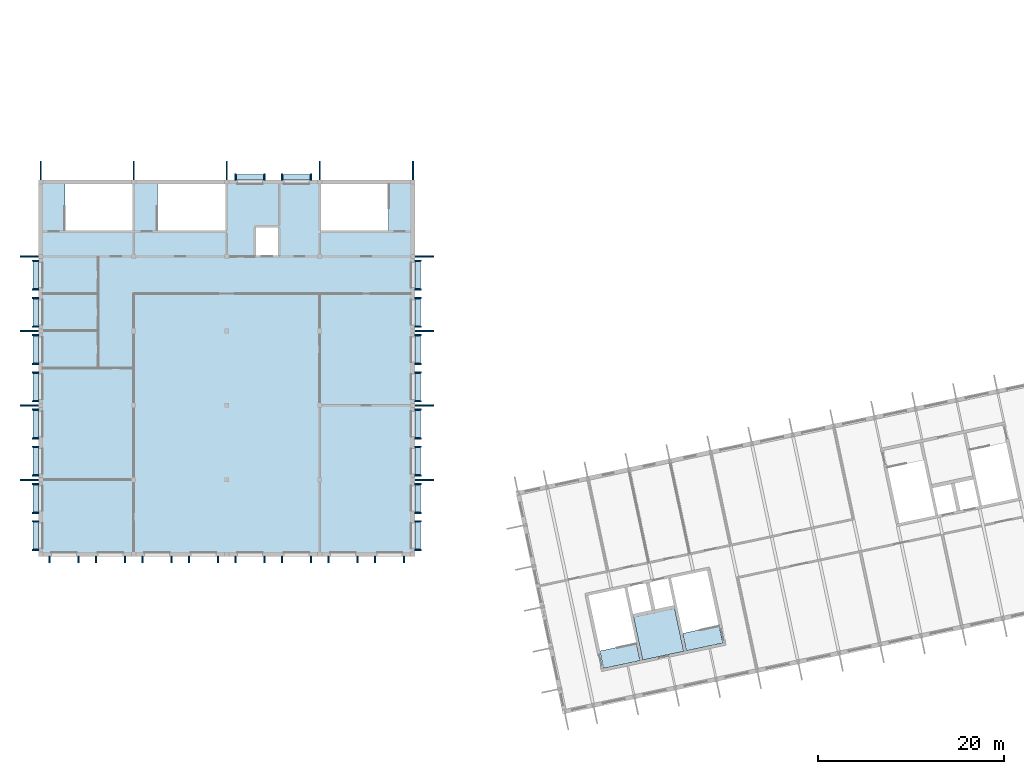
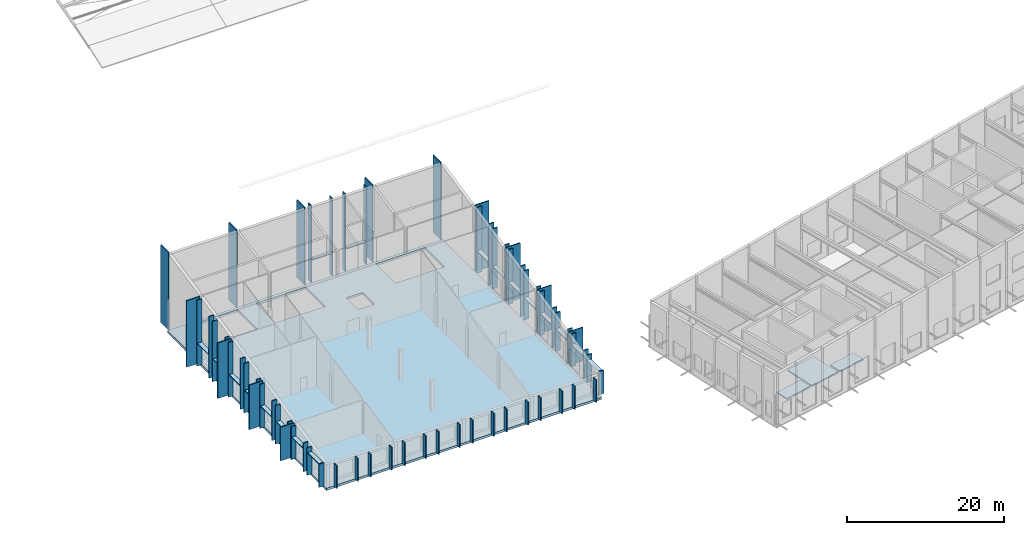
# One storey, part 34 of 69: 83 plates, 4 slabs.
"""IFC4 building model written with IfcOpenShell, lengths in metres."""

from ifc_helpers import new_model, si_unit, direction, frame, origin, origin_2d, place, context, subcontext, project, spatial, polyline, rectangle, outline, extrude, material, layer, layer_set, type_object, element, save


model = new_model("IFC4")

# Units and contexts
model_context = context("Model", 3, precision=1e-05, world=origin(), true_north=direction((0.0, 1.0)))
body_context = subcontext(model_context, "Body", "Model", "MODEL_VIEW")
ifc_project = project(units=[si_unit("LENGTHUNIT", "METRE"), si_unit("AREAUNIT", "SQUARE_METRE"), si_unit("VOLUMEUNIT", "CUBIC_METRE"), si_unit("PLANEANGLEUNIT", "RADIAN"), si_unit("MASSUNIT", "GRAM", prefix="KILO")], contexts=[model_context])

# Site, building, storey
site_placement = place(None, origin())
site = spatial("IfcSite", under=ifc_project, at=site_placement, CompositionType="ELEMENT")
building_placement = place(site_placement, origin())
building = spatial("IfcBuilding", under=site, at=building_placement, Name="Okhra Congress Centre", CompositionType="ELEMENT")
storey_placement = place(building_placement, frame((0.0, 0.0, 16.800048828125)))
storey = spatial("IfcBuildingStorey", under=building, at=storey_placement, Name="L03", CompositionType="ELEMENT", Elevation=16.800048828125)

# Plates
ifc_material_1 = material(Name="Anodised aluminium extrusion", Category="aluminium")
plate_type_1 = type_object("IfcPlateType", Name="Aluminium fin 150x700", PredefinedType="SHEET", material=ifc_material_1)
for number, where, z_axis, x_axis, name in (
    (1, (6.949951171875, 43.425048828125, 0.0), (0.0, 0.0, 1.0), (1.0, 0.0, 0.0), "RS.PLT.L03.1"),
    (2, (10.050048828125, 43.425048828125, 0.0), (0.0, 0.0, 1.0), (1.0, 0.0, 0.0), "RS.PLT.L03.2"),
    (3, (11.949951171875, 43.425048828125, 0.0), (0.0, 0.0, 1.0), (1.0, 0.0, 0.0), "RS.PLT.L03.3"),
    (4, (15.050048828125, 43.425048828125, 0.0), (0.0, 0.0, 1.0), (1.0, 0.0, 0.0), "RS.PLT.L03.4"),
    (5, (16.949951171875, 43.425048828125, 0.0), (0.0, 0.0, 1.0), (1.0, 0.0, 0.0), "RS.PLT.L03.5"),
    (6, (20.050048828125, 43.425048828125, 0.0), (0.0, 0.0, 1.0), (1.0, 0.0, 0.0), "RS.PLT.L03.6"),
    (7, (21.949951171875, 43.425048828125, 0.0), (0.0, 0.0, 1.0), (1.0, 0.0, 0.0), "RS.PLT.L03.7"),
    (8, (25.050048828125, 43.425048828125, 0.0), (0.0, 0.0, 1.0), (1.0, 0.0, 0.0), "RS.PLT.L03.8"),
    (9, (26.949951171875, 43.425048828125, 0.0), (0.0, 0.0, 1.0), (1.0, 0.0, 0.0), "RS.PLT.L03.9"),
    (10, (30.050048828125, 43.425048828125, 0.0), (0.0, 0.0, 1.0), (1.0, 0.0, 0.0), "RS.PLT.L03.10"),
    (11, (31.949951171875, 43.425048828125, 0.0), (0.0, 0.0, 1.0), (1.0, 0.0, 0.0), "RS.PLT.L03.11"),
    (12, (35.050048828125, 43.425048828125, 0.0), (0.0, 0.0, 1.0), (1.0, 0.0, 0.0), "RS.PLT.L03.12"),
    (13, (36.949951171875, 43.425048828125, 0.0), (0.0, 0.0, 1.0), (1.0, 0.0, 0.0), "RS.PLT.L03.13"),
    (14, (40.050048828125, 43.425048828125, 0.0), (0.0, 0.0, 1.0), (1.0, 0.0, 0.0), "RS.PLT.L03.14"),
    (15, (41.949951171875, 43.425048828125, 0.0), (0.0, 0.0, 1.0), (1.0, 0.0, 0.0), "RS.PLT.L03.15"),
    (16, (45.050048828125, 43.425048828125, 0.0), (0.0, 0.0, 1.0), (1.0, 0.0, 0.0), "RS.PLT.L03.16"),
):
    element("IfcPlate", number, at=place(storey_placement, frame(where, z_axis=z_axis, x_axis=x_axis)), inside=storey, type_object=plate_type_1, Name=name, PredefinedType="SHEET", context=body_context, shape_type="SweptSolid", body=[
        extrude(rectangle(XDim=0.14990234375, YDim=0.699951171875, at=origin_2d()), origin(), (0.0, 0.0, 1.0), 3.521240234375),
    ])
for number, where, z_axis, x_axis, name in (
    (17, (26.949951171875, 84.574951171875, 0.0), (0.0, 0.0, 1.0), (-1.0, 0.0, 0.0), "RS.PLT.L03.17"),
    (18, (30.050048828125, 84.574951171875, 0.0), (0.0, 0.0, 1.0), (-1.0, 0.0, 0.0), "RS.PLT.L03.18"),
    (19, (31.949951171875, 84.574951171875, 0.0), (0.0, 0.0, 1.0), (-1.0, 0.0, 0.0), "RS.PLT.L03.19"),
    (20, (35.050048828125, 84.574951171875, 0.0), (0.0, 0.0, 1.0), (-1.0, 0.0, 0.0), "RS.PLT.L03.20"),
):
    element("IfcPlate", number, at=place(storey_placement, frame(where, z_axis=z_axis, x_axis=x_axis)), inside=storey, type_object=plate_type_1, Name=name, PredefinedType="SHEET", context=body_context, shape_type="SweptSolid", body=[
        extrude(rectangle(XDim=0.14990234375, YDim=0.699951171875, at=origin_2d()), origin(), (0.0, 0.0, 1.0), 12.0234375),
    ])
plate_1_placement = place(storey_placement, frame((5.425048828125, 44.449951171875, 0.0), z_axis=(0.0, 0.0, 1.0), x_axis=(0.0, -1.0, 0.0)))
element("IfcPlate", 21, at=plate_1_placement, inside=storey, type_object=plate_type_1, Name="RS.PLT.L03.21", PredefinedType="SHEET", context=body_context, shape_type="SweptSolid", body=[
    extrude(rectangle(XDim=0.14990234375, YDim=0.699951171875, at=origin_2d()), origin(), (0.0, 0.0, 1.0), 3.61669921875),
])
plate_2_placement = place(storey_placement, frame((5.425048828125, 47.550048828125, 0.0), z_axis=(0.0, 0.0, 1.0), x_axis=(0.0, -1.0, 0.0)))
element("IfcPlate", 22, at=plate_2_placement, inside=storey, type_object=plate_type_1, Name="RS.PLT.L03.22", PredefinedType="SHEET", context=body_context, shape_type="SweptSolid", body=[
    extrude(rectangle(XDim=0.14990234375, YDim=0.699951171875, at=origin_2d()), origin(), (0.0, 0.0, 1.0), 4.275634765625),
])
plate_3_placement = place(storey_placement, frame((5.425048828125, 48.449951171875, 0.0), z_axis=(0.0, 0.0, 1.0), x_axis=(0.0, -1.0, 0.0)))
element("IfcPlate", 23, at=plate_3_placement, inside=storey, type_object=plate_type_1, Name="RS.PLT.L03.23", PredefinedType="SHEET", context=body_context, shape_type="SweptSolid", body=[
    extrude(rectangle(XDim=0.14990234375, YDim=0.699951171875, at=origin_2d()), origin(), (0.0, 0.0, 1.0), 4.467041015625),
])
plate_4_placement = place(storey_placement, frame((5.425048828125, 51.550048828125, 0.0), z_axis=(0.0, 0.0, 1.0), x_axis=(0.0, -1.0, 0.0)))
element("IfcPlate", 24, at=plate_4_placement, inside=storey, type_object=plate_type_1, Name="RS.PLT.L03.24", PredefinedType="SHEET", context=body_context, shape_type="SweptSolid", body=[
    extrude(rectangle(XDim=0.14990234375, YDim=0.699951171875, at=origin_2d()), origin(), (0.0, 0.0, 1.0), 5.1259765625),
])
plate_5_placement = place(storey_placement, frame((5.425048828125, 52.449951171875, 0.0), z_axis=(0.0, 0.0, 1.0), x_axis=(0.0, -1.0, 0.0)))
element("IfcPlate", 25, at=plate_5_placement, inside=storey, type_object=plate_type_1, Name="RS.PLT.L03.25", PredefinedType="SHEET", context=body_context, shape_type="SweptSolid", body=[
    extrude(rectangle(XDim=0.14990234375, YDim=0.699951171875, at=origin_2d()), origin(), (0.0, 0.0, 1.0), 5.317138671875),
])
plate_6_placement = place(storey_placement, frame((5.425048828125, 55.550048828125, 0.0), z_axis=(0.0, 0.0, 1.0), x_axis=(0.0, -1.0, 0.0)))
element("IfcPlate", 26, at=plate_6_placement, inside=storey, type_object=plate_type_1, Name="RS.PLT.L03.26", PredefinedType="SHEET", context=body_context, shape_type="SweptSolid", body=[
    extrude(rectangle(XDim=0.14990234375, YDim=0.699951171875, at=origin_2d()), origin(), (0.0, 0.0, 1.0), 5.97607421875),
])
plate_7_placement = place(storey_placement, frame((5.425048828125, 56.449951171875, 0.0), z_axis=(0.0, 0.0, 1.0), x_axis=(0.0, -1.0, 0.0)))
element("IfcPlate", 27, at=plate_7_placement, inside=storey, type_object=plate_type_1, Name="RS.PLT.L03.27", PredefinedType="SHEET", context=body_context, shape_type="SweptSolid", body=[
    extrude(rectangle(XDim=0.14990234375, YDim=0.699951171875, at=origin_2d()), origin(), (0.0, 0.0, 1.0), 6.16748046875),
])
plate_8_placement = place(storey_placement, frame((5.425048828125, 59.550048828125, 0.0), z_axis=(0.0, 0.0, 1.0), x_axis=(0.0, -1.0, 0.0)))
element("IfcPlate", 28, at=plate_8_placement, inside=storey, type_object=plate_type_1, Name="RS.PLT.L03.28", PredefinedType="SHEET", context=body_context, shape_type="SweptSolid", body=[
    extrude(rectangle(XDim=0.14990234375, YDim=0.699951171875, at=origin_2d()), origin(), (0.0, 0.0, 1.0), 6.826416015625),
])
plate_9_placement = place(storey_placement, frame((5.425048828125, 60.449951171875, 0.0), z_axis=(0.0, 0.0, 1.0), x_axis=(0.0, -1.0, 0.0)))
element("IfcPlate", 29, at=plate_9_placement, inside=storey, type_object=plate_type_1, Name="RS.PLT.L03.29", PredefinedType="SHEET", context=body_context, shape_type="SweptSolid", body=[
    extrude(rectangle(XDim=0.14990234375, YDim=0.699951171875, at=origin_2d()), origin(), (0.0, 0.0, 1.0), 7.017578125),
])
plate_10_placement = place(storey_placement, frame((5.425048828125, 63.550048828125, 0.0), z_axis=(0.0, 0.0, 1.0), x_axis=(0.0, -1.0, 0.0)))
element("IfcPlate", 30, at=plate_10_placement, inside=storey, type_object=plate_type_1, Name="RS.PLT.L03.30", PredefinedType="SHEET", context=body_context, shape_type="SweptSolid", body=[
    extrude(rectangle(XDim=0.14990234375, YDim=0.699951171875, at=origin_2d()), origin(), (0.0, 0.0, 1.0), 7.676513671875),
])
plate_11_placement = place(storey_placement, frame((5.425048828125, 64.449951171875, 0.0), z_axis=(0.0, 0.0, 1.0), x_axis=(0.0, -1.0, 0.0)))
element("IfcPlate", 31, at=plate_11_placement, inside=storey, type_object=plate_type_1, Name="RS.PLT.L03.31", PredefinedType="SHEET", context=body_context, shape_type="SweptSolid", body=[
    extrude(rectangle(XDim=0.14990234375, YDim=0.699951171875, at=origin_2d()), origin(), (0.0, 0.0, 1.0), 7.867919921875),
])
plate_12_placement = place(storey_placement, frame((5.425048828125, 67.550048828125, 0.0), z_axis=(0.0, 0.0, 1.0), x_axis=(0.0, -1.0, 0.0)))
element("IfcPlate", 32, at=plate_12_placement, inside=storey, type_object=plate_type_1, Name="RS.PLT.L03.32", PredefinedType="SHEET", context=body_context, shape_type="SweptSolid", body=[
    extrude(rectangle(XDim=0.14990234375, YDim=0.699951171875, at=origin_2d()), origin(), (0.0, 0.0, 1.0), 8.52685546875),
])
plate_13_placement = place(storey_placement, frame((5.425048828125, 68.449951171875, 0.0), z_axis=(0.0, 0.0, 1.0), x_axis=(0.0, -1.0, 0.0)))
element("IfcPlate", 33, at=plate_13_placement, inside=storey, type_object=plate_type_1, Name="RS.PLT.L03.33", PredefinedType="SHEET", context=body_context, shape_type="SweptSolid", body=[
    extrude(rectangle(XDim=0.14990234375, YDim=0.699951171875, at=origin_2d()), origin(), (0.0, 0.0, 1.0), 8.718017578125),
])
plate_14_placement = place(storey_placement, frame((5.425048828125, 71.550048828125, 0.0), z_axis=(0.0, 0.0, 1.0), x_axis=(0.0, -1.0, 0.0)))
element("IfcPlate", 34, at=plate_14_placement, inside=storey, type_object=plate_type_1, Name="RS.PLT.L03.34", PredefinedType="SHEET", context=body_context, shape_type="SweptSolid", body=[
    extrude(rectangle(XDim=0.14990234375, YDim=0.699951171875, at=origin_2d()), origin(), (0.0, 0.0, 1.0), 9.376953125),
])
plate_15_placement = place(storey_placement, frame((5.425048828125, 72.449951171875, 0.0), z_axis=(0.0, 0.0, 1.0), x_axis=(0.0, -1.0, 0.0)))
element("IfcPlate", 35, at=plate_15_placement, inside=storey, type_object=plate_type_1, Name="RS.PLT.L03.35", PredefinedType="SHEET", context=body_context, shape_type="SweptSolid", body=[
    extrude(rectangle(XDim=0.14990234375, YDim=0.699951171875, at=origin_2d()), origin(), (0.0, 0.0, 1.0), 9.568359375),
])
plate_16_placement = place(storey_placement, frame((5.425048828125, 75.550048828125, 0.0), z_axis=(0.0, 0.0, 1.0), x_axis=(0.0, -1.0, 0.0)))
element("IfcPlate", 36, at=plate_16_placement, inside=storey, type_object=plate_type_1, Name="RS.PLT.L03.36", PredefinedType="SHEET", context=body_context, shape_type="SweptSolid", body=[
    extrude(rectangle(XDim=0.14990234375, YDim=0.699951171875, at=origin_2d()), origin(), (0.0, 0.0, 1.0), 10.227294921875),
])
plate_17_placement = place(storey_placement, frame((46.574951171875, 44.449951171875, 0.0), z_axis=(0.0, 0.0, 1.0), x_axis=(0.0, 1.0, 0.0)))
element("IfcPlate", 37, at=plate_17_placement, inside=storey, type_object=plate_type_1, Name="RS.PLT.L03.37", PredefinedType="SHEET", context=body_context, shape_type="SweptSolid", body=[
    extrude(rectangle(XDim=0.14990234375, YDim=0.699951171875, at=origin_2d()), origin(), (0.0, 0.0, 1.0), 3.61669921875),
])
plate_18_placement = place(storey_placement, frame((46.574951171875, 47.550048828125, 0.0), z_axis=(0.0, 0.0, 1.0), x_axis=(0.0, 1.0, 0.0)))
element("IfcPlate", 38, at=plate_18_placement, inside=storey, type_object=plate_type_1, Name="RS.PLT.L03.38", PredefinedType="SHEET", context=body_context, shape_type="SweptSolid", body=[
    extrude(rectangle(XDim=0.14990234375, YDim=0.699951171875, at=origin_2d()), origin(), (0.0, 0.0, 1.0), 4.275634765625),
])
plate_19_placement = place(storey_placement, frame((46.574951171875, 48.449951171875, 0.0), z_axis=(0.0, 0.0, 1.0), x_axis=(0.0, 1.0, 0.0)))
element("IfcPlate", 39, at=plate_19_placement, inside=storey, type_object=plate_type_1, Name="RS.PLT.L03.39", PredefinedType="SHEET", context=body_context, shape_type="SweptSolid", body=[
    extrude(rectangle(XDim=0.14990234375, YDim=0.699951171875, at=origin_2d()), origin(), (0.0, 0.0, 1.0), 4.467041015625),
])
plate_20_placement = place(storey_placement, frame((46.574951171875, 51.550048828125, 0.0), z_axis=(0.0, 0.0, 1.0), x_axis=(0.0, 1.0, 0.0)))
element("IfcPlate", 40, at=plate_20_placement, inside=storey, type_object=plate_type_1, Name="RS.PLT.L03.40", PredefinedType="SHEET", context=body_context, shape_type="SweptSolid", body=[
    extrude(rectangle(XDim=0.14990234375, YDim=0.699951171875, at=origin_2d()), origin(), (0.0, 0.0, 1.0), 5.1259765625),
])
plate_21_placement = place(storey_placement, frame((46.574951171875, 52.449951171875, 0.0), z_axis=(0.0, 0.0, 1.0), x_axis=(0.0, 1.0, 0.0)))
element("IfcPlate", 41, at=plate_21_placement, inside=storey, type_object=plate_type_1, Name="RS.PLT.L03.41", PredefinedType="SHEET", context=body_context, shape_type="SweptSolid", body=[
    extrude(rectangle(XDim=0.14990234375, YDim=0.699951171875, at=origin_2d()), origin(), (0.0, 0.0, 1.0), 5.317138671875),
])
plate_22_placement = place(storey_placement, frame((46.574951171875, 55.550048828125, 0.0), z_axis=(0.0, 0.0, 1.0), x_axis=(0.0, 1.0, 0.0)))
element("IfcPlate", 42, at=plate_22_placement, inside=storey, type_object=plate_type_1, Name="RS.PLT.L03.42", PredefinedType="SHEET", context=body_context, shape_type="SweptSolid", body=[
    extrude(rectangle(XDim=0.14990234375, YDim=0.699951171875, at=origin_2d()), origin(), (0.0, 0.0, 1.0), 5.97607421875),
])
plate_23_placement = place(storey_placement, frame((46.574951171875, 56.449951171875, 0.0), z_axis=(0.0, 0.0, 1.0), x_axis=(0.0, 1.0, 0.0)))
element("IfcPlate", 43, at=plate_23_placement, inside=storey, type_object=plate_type_1, Name="RS.PLT.L03.43", PredefinedType="SHEET", context=body_context, shape_type="SweptSolid", body=[
    extrude(rectangle(XDim=0.14990234375, YDim=0.699951171875, at=origin_2d()), origin(), (0.0, 0.0, 1.0), 6.16748046875),
])
plate_24_placement = place(storey_placement, frame((46.574951171875, 59.550048828125, 0.0), z_axis=(0.0, 0.0, 1.0), x_axis=(0.0, 1.0, 0.0)))
element("IfcPlate", 44, at=plate_24_placement, inside=storey, type_object=plate_type_1, Name="RS.PLT.L03.44", PredefinedType="SHEET", context=body_context, shape_type="SweptSolid", body=[
    extrude(rectangle(XDim=0.14990234375, YDim=0.699951171875, at=origin_2d()), origin(), (0.0, 0.0, 1.0), 6.826416015625),
])
plate_25_placement = place(storey_placement, frame((46.574951171875, 60.449951171875, 0.0), z_axis=(0.0, 0.0, 1.0), x_axis=(0.0, 1.0, 0.0)))
element("IfcPlate", 45, at=plate_25_placement, inside=storey, type_object=plate_type_1, Name="RS.PLT.L03.45", PredefinedType="SHEET", context=body_context, shape_type="SweptSolid", body=[
    extrude(rectangle(XDim=0.14990234375, YDim=0.699951171875, at=origin_2d()), origin(), (0.0, 0.0, 1.0), 7.017578125),
])
plate_26_placement = place(storey_placement, frame((46.574951171875, 63.550048828125, 0.0), z_axis=(0.0, 0.0, 1.0), x_axis=(0.0, 1.0, 0.0)))
element("IfcPlate", 46, at=plate_26_placement, inside=storey, type_object=plate_type_1, Name="RS.PLT.L03.46", PredefinedType="SHEET", context=body_context, shape_type="SweptSolid", body=[
    extrude(rectangle(XDim=0.14990234375, YDim=0.699951171875, at=origin_2d()), origin(), (0.0, 0.0, 1.0), 7.676513671875),
])
plate_27_placement = place(storey_placement, frame((46.574951171875, 64.449951171875, 0.0), z_axis=(0.0, 0.0, 1.0), x_axis=(0.0, 1.0, 0.0)))
element("IfcPlate", 47, at=plate_27_placement, inside=storey, type_object=plate_type_1, Name="RS.PLT.L03.47", PredefinedType="SHEET", context=body_context, shape_type="SweptSolid", body=[
    extrude(rectangle(XDim=0.14990234375, YDim=0.699951171875, at=origin_2d()), origin(), (0.0, 0.0, 1.0), 7.867919921875),
])
plate_28_placement = place(storey_placement, frame((46.574951171875, 67.550048828125, 0.0), z_axis=(0.0, 0.0, 1.0), x_axis=(0.0, 1.0, 0.0)))
element("IfcPlate", 48, at=plate_28_placement, inside=storey, type_object=plate_type_1, Name="RS.PLT.L03.48", PredefinedType="SHEET", context=body_context, shape_type="SweptSolid", body=[
    extrude(rectangle(XDim=0.14990234375, YDim=0.699951171875, at=origin_2d()), origin(), (0.0, 0.0, 1.0), 8.52685546875),
])
plate_29_placement = place(storey_placement, frame((46.574951171875, 68.449951171875, 0.0), z_axis=(0.0, 0.0, 1.0), x_axis=(0.0, 1.0, 0.0)))
element("IfcPlate", 49, at=plate_29_placement, inside=storey, type_object=plate_type_1, Name="RS.PLT.L03.49", PredefinedType="SHEET", context=body_context, shape_type="SweptSolid", body=[
    extrude(rectangle(XDim=0.14990234375, YDim=0.699951171875, at=origin_2d()), origin(), (0.0, 0.0, 1.0), 8.718017578125),
])
plate_30_placement = place(storey_placement, frame((46.574951171875, 71.550048828125, 0.0), z_axis=(0.0, 0.0, 1.0), x_axis=(0.0, 1.0, 0.0)))
element("IfcPlate", 50, at=plate_30_placement, inside=storey, type_object=plate_type_1, Name="RS.PLT.L03.50", PredefinedType="SHEET", context=body_context, shape_type="SweptSolid", body=[
    extrude(rectangle(XDim=0.14990234375, YDim=0.699951171875, at=origin_2d()), origin(), (0.0, 0.0, 1.0), 9.376953125),
])
plate_31_placement = place(storey_placement, frame((46.574951171875, 72.449951171875, 0.0), z_axis=(0.0, 0.0, 1.0), x_axis=(0.0, 1.0, 0.0)))
element("IfcPlate", 51, at=plate_31_placement, inside=storey, type_object=plate_type_1, Name="RS.PLT.L03.51", PredefinedType="SHEET", context=body_context, shape_type="SweptSolid", body=[
    extrude(rectangle(XDim=0.14990234375, YDim=0.699951171875, at=origin_2d()), origin(), (0.0, 0.0, 1.0), 9.568359375),
])
plate_32_placement = place(storey_placement, frame((46.574951171875, 75.550048828125, 0.0), z_axis=(0.0, 0.0, 1.0), x_axis=(0.0, 1.0, 0.0)))
element("IfcPlate", 52, at=plate_32_placement, inside=storey, type_object=plate_type_1, Name="RS.PLT.L03.52", PredefinedType="SHEET", context=body_context, shape_type="SweptSolid", body=[
    extrude(rectangle(XDim=0.14990234375, YDim=0.699951171875, at=origin_2d()), origin(), (0.0, 0.0, 1.0), 10.227294921875),
])
ifc_material_2 = material(Name="Precast concrete C40/50", Category="concrete")
plate_type_2 = type_object("IfcPlateType", Name="Precast concrete blade 150x2000 C40/50", PredefinedType="SHEET", material=ifc_material_2)
for number, where, z_axis, x_axis, name in (
    (53, (6.0, 85.22509765625, 0.0), (0.0, 0.0, 1.0), (-1.0, 0.0, 0.0), "RS.PLT.L03.blade-27"),
    (54, (16.0, 85.22509765625, 0.0), (0.0, 0.0, 1.0), (-1.0, 0.0, 0.0), "RS.PLT.L03.blade-28"),
    (55, (26.0, 85.22509765625, 0.0), (0.0, 0.0, 1.0), (-1.0, 0.0, 0.0), "RS.PLT.L03.blade-29"),
    (56, (36.0, 85.22509765625, 0.0), (0.0, 0.0, 1.0), (-1.0, 0.0, 0.0), "RS.PLT.L03.blade-30"),
    (57, (46.0, 85.22509765625, 0.0), (0.0, 0.0, 1.0), (-1.0, 0.0, 0.0), "RS.PLT.L03.blade-31"),
):
    element("IfcPlate", number, at=place(storey_placement, frame(where, z_axis=z_axis, x_axis=x_axis)), inside=storey, type_object=plate_type_2, Name=name, PredefinedType="SHEET", context=body_context, shape_type="SweptSolid", body=[
        extrude(rectangle(XDim=0.14990234375, YDim=2.0, at=origin_2d()), origin(), (0.0, 0.0, 1.0), 12.0234375),
    ])
plate_33_placement = place(storey_placement, frame((4.77490234375, 52.0, 0.0), z_axis=(0.0, 0.0, 1.0), x_axis=(0.0, -1.0, 0.0)))
element("IfcPlate", 58, at=plate_33_placement, inside=storey, type_object=plate_type_2, Name="RS.PLT.L03.blade-32", PredefinedType="SHEET", context=body_context, shape_type="SweptSolid", body=[
    extrude(rectangle(XDim=0.14990234375, YDim=2.0, at=origin_2d()), origin(), (0.0, 0.0, 1.0), 5.2216796875),
])
plate_34_placement = place(storey_placement, frame((4.77490234375, 60.0, 0.0), z_axis=(0.0, 0.0, 1.0), x_axis=(0.0, -1.0, 0.0)))
element("IfcPlate", 59, at=plate_34_placement, inside=storey, type_object=plate_type_2, Name="RS.PLT.L03.blade-33", PredefinedType="SHEET", context=body_context, shape_type="SweptSolid", body=[
    extrude(rectangle(XDim=0.14990234375, YDim=2.0, at=origin_2d()), origin(), (0.0, 0.0, 1.0), 6.922119140625),
])
plate_35_placement = place(storey_placement, frame((4.77490234375, 68.0, 0.0), z_axis=(0.0, 0.0, 1.0), x_axis=(0.0, -1.0, 0.0)))
element("IfcPlate", 60, at=plate_35_placement, inside=storey, type_object=plate_type_2, Name="RS.PLT.L03.blade-34", PredefinedType="SHEET", context=body_context, shape_type="SweptSolid", body=[
    extrude(rectangle(XDim=0.14990234375, YDim=2.0, at=origin_2d()), origin(), (0.0, 0.0, 1.0), 8.62255859375),
])
plate_36_placement = place(storey_placement, frame((4.77490234375, 76.0, 0.0), z_axis=(0.0, 0.0, 1.0), x_axis=(0.0, -1.0, 0.0)))
element("IfcPlate", 61, at=plate_36_placement, inside=storey, type_object=plate_type_2, Name="RS.PLT.L03.blade-35", PredefinedType="SHEET", context=body_context, shape_type="SweptSolid", body=[
    extrude(rectangle(XDim=0.14990234375, YDim=2.0, at=origin_2d()), origin(), (0.0, 0.0, 1.0), 10.322998046875),
])
plate_37_placement = place(storey_placement, frame((47.22509765625, 52.0, 0.0), z_axis=(0.0, 0.0, 1.0), x_axis=(0.0, 1.0, 0.0)))
element("IfcPlate", 62, at=plate_37_placement, inside=storey, type_object=plate_type_2, Name="RS.PLT.L03.blade-36", PredefinedType="SHEET", context=body_context, shape_type="SweptSolid", body=[
    extrude(rectangle(XDim=0.14990234375, YDim=2.0, at=origin_2d()), origin(), (0.0, 0.0, 1.0), 5.2216796875),
])
plate_38_placement = place(storey_placement, frame((47.22509765625, 60.0, 0.0), z_axis=(0.0, 0.0, 1.0), x_axis=(0.0, 1.0, 0.0)))
element("IfcPlate", 63, at=plate_38_placement, inside=storey, type_object=plate_type_2, Name="RS.PLT.L03.blade-37", PredefinedType="SHEET", context=body_context, shape_type="SweptSolid", body=[
    extrude(rectangle(XDim=0.14990234375, YDim=2.0, at=origin_2d()), origin(), (0.0, 0.0, 1.0), 6.922119140625),
])
plate_39_placement = place(storey_placement, frame((47.22509765625, 68.0, 0.0), z_axis=(0.0, 0.0, 1.0), x_axis=(0.0, 1.0, 0.0)))
element("IfcPlate", 64, at=plate_39_placement, inside=storey, type_object=plate_type_2, Name="RS.PLT.L03.blade-38", PredefinedType="SHEET", context=body_context, shape_type="SweptSolid", body=[
    extrude(rectangle(XDim=0.14990234375, YDim=2.0, at=origin_2d()), origin(), (0.0, 0.0, 1.0), 8.62255859375),
])
plate_40_placement = place(storey_placement, frame((47.22509765625, 76.0, 0.0), z_axis=(0.0, 0.0, 1.0), x_axis=(0.0, 1.0, 0.0)))
element("IfcPlate", 65, at=plate_40_placement, inside=storey, type_object=plate_type_2, Name="RS.PLT.L03.blade-39", PredefinedType="SHEET", context=body_context, shape_type="SweptSolid", body=[
    extrude(rectangle(XDim=0.14990234375, YDim=2.0, at=origin_2d()), origin(), (0.0, 0.0, 1.0), 10.322998046875),
])

# Slabs
ifc_material_3 = material(Name="Concrete C30/37", Category="concrete")
ifc_layer_1 = layer(ifc_material_3, 0.199951171875)
ifc_layer_set_1 = layer_set([ifc_layer_1], Name="RC floor slab 200 REI 120 C30/37")
slab_type_1 = type_object("IfcSlabType", Name="RC floor slab 200 REI 120 C30/37", PredefinedType="FLOOR", material=ifc_layer_set_1)
slab_1_placement = place(storey_placement, frame((0.0, 0.0, -0.199951171875)))
element("IfcSlab", 66, at=slab_1_placement, inside=storey, type_object=slab_type_1, Name="Stair floor landing 1A L03", PredefinedType="FLOOR", context=body_context, shape_type="SweptSolid", body=[
    extrude(outline(polyline([(70.425537109375, 32.562255859375), (66.503173828125, 31.728515625), (66.106201171875, 33.596923828125), (70.028564453125, 34.4306640625), (70.425537109375, 32.562255859375)])), origin(), (0.0, 0.0, 1.0), 0.199951171875),
])
slab_2_placement = place(storey_placement, frame((0.0, 0.0, -0.199951171875)))
element("IfcSlab", 67, at=slab_2_placement, inside=storey, type_object=slab_type_1, Name="Stair floor landing 1B L03", PredefinedType="FLOOR", context=body_context, shape_type="SweptSolid", body=[
    extrude(outline(polyline([(79.32666015625, 34.454345703125), (75.404296875, 33.62060546875), (75.00732421875, 35.489013671875), (78.9296875, 36.322509765625), (79.32666015625, 34.454345703125)])), origin(), (0.0, 0.0, 1.0), 0.199951171875),
])
slab_3_placement = place(storey_placement, frame((0.0, 0.0, -0.199951171875)))
element("IfcSlab", 68, at=slab_3_placement, inside=storey, type_object=slab_type_1, Name="Riser room floor 1 L03", PredefinedType="FLOOR", context=body_context, shape_type="SweptSolid", body=[
    extrude(outline(polyline([(70.713134765625, 32.628662109375), (75.11474609375, 33.564208984375), (74.1376953125, 38.161376953125), (69.73583984375, 37.225830078125), (70.713134765625, 32.628662109375)])), origin(), (0.0, 0.0, 1.0), 0.199951171875),
])
ifc_material_4 = material(Name="Concrete C35/45", Category="concrete")
ifc_layer_2 = layer(ifc_material_4, 0.35009765625)
ifc_layer_set_2 = layer_set([ifc_layer_2], Name="RC floor slab 350 REI 120 C35/45")
slab_type_2 = type_object("IfcSlabType", Name="RC floor slab 350 REI 120 C35/45", PredefinedType="FLOOR", material=ifc_layer_set_2)
slab_4_placement = place(storey_placement, frame((0.0, 0.0, -0.35009765625)))
element("IfcSlab", 69, at=slab_4_placement, inside=storey, type_object=slab_type_2, Name="Floor slab L03", PredefinedType="FLOOR", context=body_context, shape_type="SweptSolid", body=[
    extrude(outline(polyline([(46.22509765625, 43.77490234375), (46.22509765625, 84.22509765625), (5.77490234375, 84.22509765625), (5.77490234375, 43.77490234375), (46.22509765625, 43.77490234375)]), holes=[polyline([(8.6279296875, 78.824951171875), (15.85009765625, 78.824951171875), (15.85009765625, 83.77490234375), (8.6279296875, 83.77490234375), (8.6279296875, 78.824951171875)]), polyline([(18.552978515625, 78.824951171875), (25.85009765625, 78.824951171875), (25.85009765625, 83.77490234375), (18.552978515625, 83.77490234375), (18.552978515625, 78.824951171875)]), polyline([(43.3720703125, 83.77490234375), (36.14990234375, 83.77490234375), (36.14990234375, 78.824951171875), (43.3720703125, 78.824951171875), (43.3720703125, 83.77490234375)]), polyline([(29.125, 76.125), (31.52490234375, 76.125), (31.52490234375, 79.125), (29.125, 79.125), (29.125, 76.125)])]), origin(), (0.0, 0.0, 1.0), 0.35009765625),
])

# Plates
ifc_material_5 = material(Name="Weathering steel S355J0WP", Category="steel")
ifc_layer_3 = layer(ifc_material_5, 0.1201171875)
ifc_layer_set_3 = layer_set([ifc_layer_3], Name="Weathering steel window hood 600x120")
plate_type_3 = type_object("IfcPlateType", Name="Weathering steel window hood 600x120", PredefinedType="SHEET", material=ifc_layer_set_3)
for number, where, z_axis, x_axis, name in (
    (70, (28.5, 84.52490234375, 3.389892578125), (0.0, 0.0, 1.0), (-1.0, 0.0, 0.0), "RS.PLT.L03.hood-38"),
    (71, (33.5, 84.52490234375, 3.389892578125), (0.0, 0.0, 1.0), (-1.0, 0.0, 0.0), "RS.PLT.L03.hood-39"),
    (72, (5.47509765625, 46.0, 3.389892578125), (0.0, 0.0, 1.0), (0.0, -1.0, 0.0), "RS.PLT.L03.hood-40"),
    (73, (5.47509765625, 50.0, 3.389892578125), (0.0, 0.0, 1.0), (0.0, -1.0, 0.0), "RS.PLT.L03.hood-41"),
    (74, (5.47509765625, 54.0, 3.389892578125), (0.0, 0.0, 1.0), (0.0, -1.0, 0.0), "RS.PLT.L03.hood-42"),
    (75, (5.47509765625, 58.0, 3.389892578125), (0.0, 0.0, 1.0), (0.0, -1.0, 0.0), "RS.PLT.L03.hood-43"),
    (76, (5.47509765625, 62.0, 3.389892578125), (0.0, 0.0, 1.0), (0.0, -1.0, 0.0), "RS.PLT.L03.hood-44"),
    (77, (5.47509765625, 66.0, 3.389892578125), (0.0, 0.0, 1.0), (0.0, -1.0, 0.0), "RS.PLT.L03.hood-45"),
    (78, (5.47509765625, 70.0, 3.389892578125), (0.0, 0.0, 1.0), (0.0, -1.0, 0.0), "RS.PLT.L03.hood-46"),
    (79, (5.47509765625, 74.0, 3.389892578125), (0.0, 0.0, 1.0), (0.0, -1.0, 0.0), "RS.PLT.L03.hood-47"),
    (80, (46.52490234375, 46.0, 3.389892578125), (0.0, 0.0, 1.0), (0.0, 1.0, 0.0), "RS.PLT.L03.hood-48"),
    (81, (46.52490234375, 50.0, 3.389892578125), (0.0, 0.0, 1.0), (0.0, 1.0, 0.0), "RS.PLT.L03.hood-49"),
    (82, (46.52490234375, 54.0, 3.389892578125), (0.0, 0.0, 1.0), (0.0, 1.0, 0.0), "RS.PLT.L03.hood-50"),
    (83, (46.52490234375, 58.0, 3.389892578125), (0.0, 0.0, 1.0), (0.0, 1.0, 0.0), "RS.PLT.L03.hood-51"),
    (84, (46.52490234375, 62.0, 3.389892578125), (0.0, 0.0, 1.0), (0.0, 1.0, 0.0), "RS.PLT.L03.hood-52"),
    (85, (46.52490234375, 66.0, 3.389892578125), (0.0, 0.0, 1.0), (0.0, 1.0, 0.0), "RS.PLT.L03.hood-53"),
    (86, (46.52490234375, 70.0, 3.389892578125), (0.0, 0.0, 1.0), (0.0, 1.0, 0.0), "RS.PLT.L03.hood-54"),
    (87, (46.52490234375, 74.0, 3.389892578125), (0.0, 0.0, 1.0), (0.0, 1.0, 0.0), "RS.PLT.L03.hood-55"),
):
    element("IfcPlate", number, at=place(storey_placement, frame(where, z_axis=z_axis, x_axis=x_axis)), inside=storey, type_object=plate_type_3, Name=name, PredefinedType="SHEET", context=body_context, shape_type="SweptSolid", body=[
        extrude(rectangle(XDim=2.93994140625, YDim=0.60009765625, at=origin_2d()), origin(), (0.0, 0.0, 1.0), 0.1201171875),
    ])

save(model, "model.ifc")
